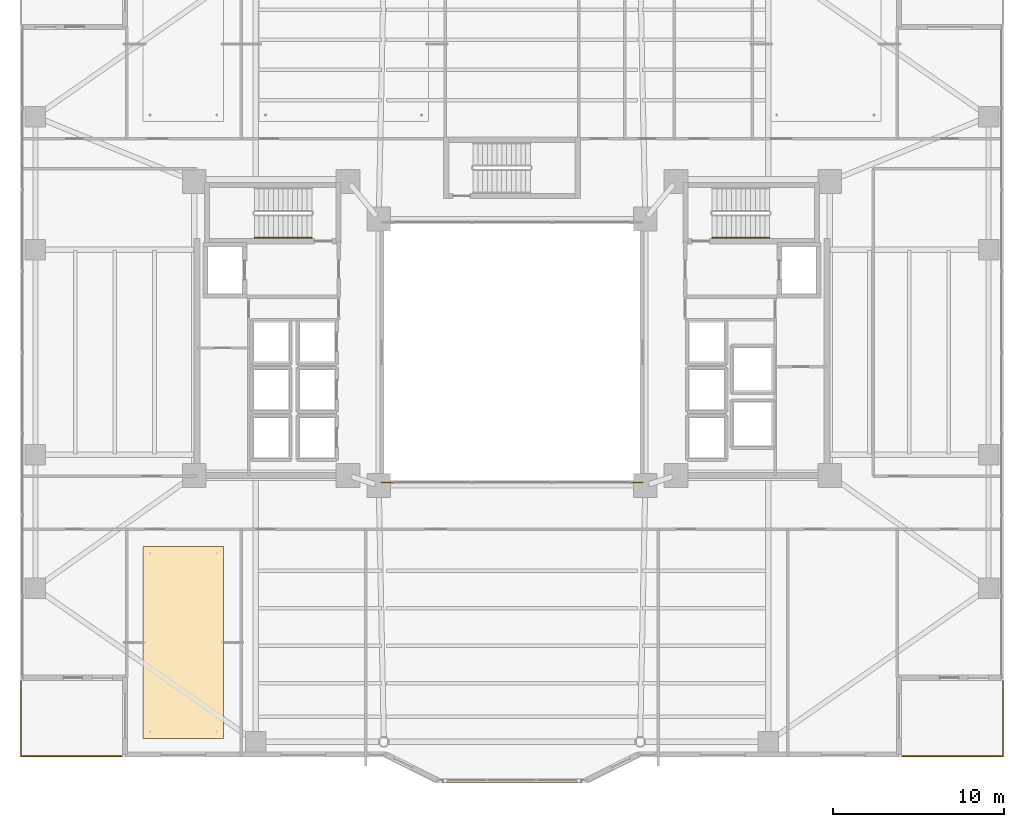
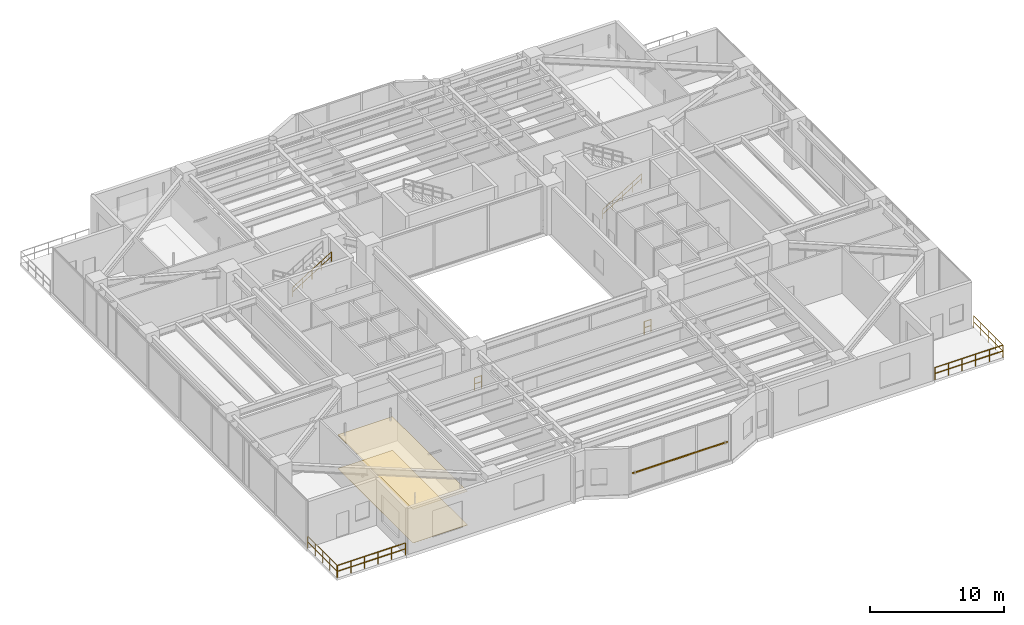
# One storey, part 38 of 40: 8 railings, 2 coverings, 1 shading device.
"""IFC4 building model written with IfcOpenShell, lengths in metres."""

from ifc_helpers import new_model, si_unit, direction, frame, origin, origin_2d, place, context, subcontext, project, spatial, polyline, rectangle, circle, outline, extrude, material, layer, layer_set, material_profile, profile_set, type_object, element, save


model = new_model("IFC4")

# Units and contexts
model_context = context("Model", 3, precision=1e-05, world=origin(), true_north=direction((0.0, 1.0)))
body_context = subcontext(model_context, "Body", "Model", "MODEL_VIEW")
ifc_project = project(units=[si_unit("LENGTHUNIT", "METRE"), si_unit("AREAUNIT", "SQUARE_METRE"), si_unit("VOLUMEUNIT", "CUBIC_METRE"), si_unit("PLANEANGLEUNIT", "RADIAN"), si_unit("MASSUNIT", "GRAM", prefix="KILO")], contexts=[model_context])

# Site, building, storey
site_placement = place(None, origin())
site = spatial("IfcSite", under=ifc_project, at=site_placement, CompositionType="ELEMENT")
building_placement = place(site_placement, origin())
building = spatial("IfcBuilding", under=site, at=building_placement, Name="Tarnavaz Court Tower", CompositionType="ELEMENT")
storey_placement = place(building_placement, frame((0.0, 0.0, 64.199951171875)))
storey = spatial("IfcBuildingStorey", under=building, at=storey_placement, Name="L17", CompositionType="ELEMENT", Elevation=64.199951171875)

# Coverings
ifc_material_1 = material(Name="Perforated Gypsum Acoustic Ceiling Tile", Category="masonry")
ifc_layer_1 = layer(ifc_material_1, 0.02490234375)
ifc_layer_set_1 = layer_set([ifc_layer_1], Name="Perforated Gypsum Acoustic Ceiling Tile")
covering_type_1 = type_object("IfcCoveringType", Name="CV-CEIL-AC", PredefinedType="CEILING", material=ifc_layer_set_1)
covering_1_placement = place(storey_placement, frame((0.0, 0.0, 3.080078125)))
element("IfcCovering", 1, at=covering_1_placement, inside=storey, type_object=covering_type_1, Name="L17 L17 Daycare Classroom Suspended Acoustic Ceiling", PredefinedType="CEILING", context=body_context, shape_type="SweptSolid", body=[
    extrude(outline(polyline([(-21.60009765625, -22.60009765625), (-16.884033203125, -22.60009765625), (-16.884033203125, -11.360107421875), (-21.60009765625, -11.360107421875), (-21.60009765625, -22.60009765625)])), origin(), (0.0, 0.0, 1.0), 0.02490234375),
])
ifc_material_2 = material(Name="Glazed Khorasan Porcelain Floor Tile", Category="masonry")
ifc_layer_2 = layer(ifc_material_2, 0.02001953125)
ifc_layer_set_2 = layer_set([ifc_layer_2], Name="Glazed Khorasan Porcelain Floor Tile")
covering_type_2 = type_object("IfcCoveringType", Name="CV-FLR-PORC", PredefinedType="FLOORING", material=ifc_layer_set_2)
covering_2_placement = place(storey_placement, origin())
element("IfcCovering", 2, at=covering_2_placement, inside=storey, type_object=covering_type_2, Name="L17 L17 Daycare Classroom Porcelain Floor Finish", PredefinedType="FLOORING", context=body_context, shape_type="SweptSolid", body=[
    extrude(outline(polyline([(-21.60009765625, -22.60009765625), (-16.884033203125, -22.60009765625), (-16.884033203125, -11.360107421875), (-21.60009765625, -11.360107421875), (-21.60009765625, -22.60009765625)])), origin(), (0.0, 0.0, 1.0), 0.02001953125),
])

# Railings
ifc_material_3 = material(Name="Anodised Aluminium 6063-T6 and Laminated Safety Glass", Category="aluminium")
railing_type_1 = type_object("IfcRailingType", Name="RL-BAL-1120", PredefinedType="BALUSTRADE", material=ifc_material_3)
for number, where, name in (
    (3, (-7.6201171875, -7.6201171875, 0.0), "L17 Courtyard Corner Balustrade S-A"),
    (4, (7.02001953125, -7.6201171875, 0.0), "L17 Courtyard Corner Balustrade S-B"),
):
    element("IfcRailing", number, at=place(storey_placement, frame(where)), inside=storey, type_object=railing_type_1, Name=name, PredefinedType="BALUSTRADE", context=body_context, shape_type="SweptSolid", body=[
        extrude(circle(Radius=0.02392578125, at=origin_2d()), frame((0.0, 0.0, 1.1259765625), z_axis=(1.0, 0.0, 0.0), x_axis=(0.0, 1.0, 0.0)), (0.0, 0.0, 1.0), 0.60009765625),
        extrude(circle(Radius=0.02392578125, at=origin_2d()), frame((0.0, 0.0, 0.574951171875), z_axis=(1.0, 0.0, 0.0), x_axis=(0.0, 1.0, 0.0)), (0.0, 0.0, 1.0), 0.60009765625),
        extrude(circle(Radius=0.02099609375, at=origin_2d()), origin(), (0.0, 0.0, 1.0), 1.101806640625),
        extrude(circle(Radius=0.02099609375, at=origin_2d()), frame((0.60009765625, 0.0, 0.0)), (0.0, 0.0, 1.0), 1.101806640625),
    ])
railing_1_placement = place(storey_placement, frame((22.860107421875, -23.639892578125, 0.0)))
element("IfcRailing", 5, at=railing_1_placement, inside=storey, type_object=railing_type_1, Name="L17 Terrace 3 S Perimeter Balustrade", PredefinedType="BALUSTRADE", context=body_context, shape_type="SweptSolid", body=[
    extrude(circle(Radius=0.02392578125, at=origin_2d()), frame((0.0, 0.0, 1.09619140625), z_axis=(1.0, 0.0, 0.0), x_axis=(0.0, 1.0, 0.0)), (0.0, 0.0, 1.0), 5.8798828125),
    extrude(circle(Radius=0.02392578125, at=origin_2d()), frame((0.0, 0.0, 0.56005859375), z_axis=(1.0, 0.0, 0.0), x_axis=(0.0, 1.0, 0.0)), (0.0, 0.0, 1.0), 5.8798828125),
    extrude(circle(Radius=0.02099609375, at=origin_2d()), origin(), (0.0, 0.0, 1.0), 1.072021484375),
    extrude(circle(Radius=0.02099609375, at=origin_2d()), frame((1.176025390625, 0.0, 0.0)), (0.0, 0.0, 1.0), 1.072021484375),
    extrude(circle(Radius=0.02099609375, at=origin_2d()), frame((2.35205078125, 0.0, 0.0)), (0.0, 0.0, 1.0), 1.072021484375),
    extrude(circle(Radius=0.02099609375, at=origin_2d()), frame((3.52783203125, 0.0, 0.0)), (0.0, 0.0, 1.0), 1.072021484375),
    extrude(circle(Radius=0.02099609375, at=origin_2d()), frame((4.703857421875, 0.0, 0.0)), (0.0, 0.0, 1.0), 1.072021484375),
    extrude(circle(Radius=0.02099609375, at=origin_2d()), frame((5.8798828125, 0.0, 0.0)), (0.0, 0.0, 1.0), 1.072021484375),
])
railing_2_placement = place(storey_placement, frame((28.739990234375, -23.639892578125, 0.0)))
element("IfcRailing", 6, at=railing_2_placement, inside=storey, type_object=railing_type_1, Name="L17 Terrace 3 E Perimeter Balustrade", PredefinedType="BALUSTRADE", context=body_context, shape_type="SweptSolid", body=[
    extrude(circle(Radius=0.02392578125, at=origin_2d()), frame((0.0, 0.0, 1.09619140625), z_axis=(0.0, 1.0, 0.0), x_axis=(-1.0, 0.0, 0.0)), (0.0, 0.0, 1.0), 4.3798828125),
    extrude(circle(Radius=0.02392578125, at=origin_2d()), frame((0.0, 0.0, 0.56005859375), z_axis=(0.0, 1.0, 0.0), x_axis=(-1.0, 0.0, 0.0)), (0.0, 0.0, 1.0), 4.3798828125),
    extrude(circle(Radius=0.02099609375, at=origin_2d()), origin(), (0.0, 0.0, 1.0), 1.072021484375),
    extrude(circle(Radius=0.02099609375, at=origin_2d()), frame((0.0, 1.094970703125, 0.0)), (0.0, 0.0, 1.0), 1.072021484375),
    extrude(circle(Radius=0.02099609375, at=origin_2d()), frame((0.0, 2.18994140625, 0.0)), (0.0, 0.0, 1.0), 1.072021484375),
    extrude(circle(Radius=0.02099609375, at=origin_2d()), frame((0.0, 3.284912109375, 0.0)), (0.0, 0.0, 1.0), 1.072021484375),
    extrude(circle(Radius=0.02099609375, at=origin_2d()), frame((0.0, 4.3798828125, 0.0)), (0.0, 0.0, 1.0), 1.072021484375),
])
railing_3_placement = place(storey_placement, frame((-28.739990234375, -23.639892578125, 0.0)))
element("IfcRailing", 7, at=railing_3_placement, inside=storey, type_object=railing_type_1, Name="L17 Terrace 4 S Perimeter Balustrade", PredefinedType="BALUSTRADE", context=body_context, shape_type="SweptSolid", body=[
    extrude(circle(Radius=0.02392578125, at=origin_2d()), frame((0.0, 0.0, 1.09619140625), z_axis=(1.0, 0.0, 0.0), x_axis=(0.0, 1.0, 0.0)), (0.0, 0.0, 1.0), 5.8798828125),
    extrude(circle(Radius=0.02392578125, at=origin_2d()), frame((0.0, 0.0, 0.56005859375), z_axis=(1.0, 0.0, 0.0), x_axis=(0.0, 1.0, 0.0)), (0.0, 0.0, 1.0), 5.8798828125),
    extrude(circle(Radius=0.02099609375, at=origin_2d()), origin(), (0.0, 0.0, 1.0), 1.072021484375),
    extrude(circle(Radius=0.02099609375, at=origin_2d()), frame((1.176025390625, 0.0, 0.0)), (0.0, 0.0, 1.0), 1.072021484375),
    extrude(circle(Radius=0.02099609375, at=origin_2d()), frame((2.35205078125, 0.0, 0.0)), (0.0, 0.0, 1.0), 1.072021484375),
    extrude(circle(Radius=0.02099609375, at=origin_2d()), frame((3.52783203125, 0.0, 0.0)), (0.0, 0.0, 1.0), 1.072021484375),
    extrude(circle(Radius=0.02099609375, at=origin_2d()), frame((4.703857421875, 0.0, 0.0)), (0.0, 0.0, 1.0), 1.072021484375),
    extrude(circle(Radius=0.02099609375, at=origin_2d()), frame((5.8798828125, 0.0, 0.0)), (0.0, 0.0, 1.0), 1.072021484375),
])
railing_4_placement = place(storey_placement, frame((-28.739990234375, -19.260009765625, 0.0)))
element("IfcRailing", 8, at=railing_4_placement, inside=storey, type_object=railing_type_1, Name="L17 Terrace 4 W Perimeter Balustrade", PredefinedType="BALUSTRADE", context=body_context, shape_type="SweptSolid", body=[
    extrude(circle(Radius=0.02392578125, at=origin_2d()), frame((0.0, 0.0, 1.09619140625), z_axis=(0.0, -1.0, 0.0), x_axis=(1.0, 0.0, 0.0)), (0.0, 0.0, 1.0), 4.3798828125),
    extrude(circle(Radius=0.02392578125, at=origin_2d()), frame((0.0, 0.0, 0.56005859375), z_axis=(0.0, -1.0, 0.0), x_axis=(1.0, 0.0, 0.0)), (0.0, 0.0, 1.0), 4.3798828125),
    extrude(circle(Radius=0.02099609375, at=origin_2d()), origin(), (0.0, 0.0, 1.0), 1.072021484375),
    extrude(circle(Radius=0.02099609375, at=origin_2d()), frame((0.0, -1.094970703125, 0.0)), (0.0, 0.0, 1.0), 1.072021484375),
    extrude(circle(Radius=0.02099609375, at=origin_2d()), frame((0.0, -2.18994140625, 0.0)), (0.0, 0.0, 1.0), 1.072021484375),
    extrude(circle(Radius=0.02099609375, at=origin_2d()), frame((0.0, -3.284912109375, 0.0)), (0.0, 0.0, 1.0), 1.072021484375),
    extrude(circle(Radius=0.02099609375, at=origin_2d()), frame((0.0, -4.3798828125, 0.0)), (0.0, 0.0, 1.0), 1.072021484375),
])
ifc_material_4 = material(Name="Brushed Stainless Steel", Category="steel")
railing_type_2 = type_object("IfcRailingType", Name="RL-HANDRAIL-900", PredefinedType="HANDRAIL", material=ifc_material_4)
for number, where, name in (
    (9, (-15.080078125, 6.699951171875, 2.423095703125), "L17 ST-W1 stair handrail 2"),
    (10, (11.719970703125, 6.699951171875, 0.173095703125), "L17 ST-E1 stair handrail 1"),
):
    element("IfcRailing", number, at=place(storey_placement, frame(where)), inside=storey, type_object=railing_type_2, Name=name, PredefinedType="HANDRAIL", context=body_context, shape_type="SweptSolid", body=[
        extrude(circle(Radius=0.02392578125, at=origin_2d()), frame((0.0, 0.0, 0.8759765625), z_axis=(0.850623216509, 0.0, 0.525775754039), x_axis=(0.0, 1.0, 0.0)), (0.0, 0.0, 1.0), 3.9501953125),
        extrude(circle(Radius=0.02392578125, at=origin_2d()), frame((0.0, 0.0, 0.449951171875), z_axis=(0.850623216509, 0.0, 0.525775754039), x_axis=(0.0, 1.0, 0.0)), (0.0, 0.0, 1.0), 3.9501953125),
        extrude(circle(Radius=0.02099609375, at=origin_2d()), origin(), (0.0, 0.0, 1.0), 0.851806640625),
        extrude(circle(Radius=0.02099609375, at=origin_2d()), frame((0.840087890625, 0.0, 0.519287109375)), (0.0, 0.0, 1.0), 0.851806640625),
        extrude(circle(Radius=0.02099609375, at=origin_2d()), frame((1.68017578125, 0.0, 1.03857421875)), (0.0, 0.0, 1.0), 0.851806640625),
        extrude(circle(Radius=0.02099609375, at=origin_2d()), frame((2.52001953125, 0.0, 1.5576171875)), (0.0, 0.0, 1.0), 0.851806640625),
        extrude(circle(Radius=0.02099609375, at=origin_2d()), frame((3.360107421875, 0.0, 2.076904296875)), (0.0, 0.0, 1.0), 0.851806640625),
    ])

# Shading device
ifc_material_5 = material(Name="Kiln-Fired Khorasan Terracotta Ceramic", Category="masonry")
ifc_material_profile = material_profile(ifc_material_5, rectangle(XDim=0.1201171875, YDim=0.06005859375, at=origin_2d()), Name="TC BAGUETTE 120X60")
ifc_profile_set = profile_set([ifc_material_profile], Name="Kiln-Fired Khorasan Terracotta Ceramic")
shading_device_type = type_object("IfcShadingDeviceType", Name="SD-BAG-120", PredefinedType="USERDEFINED", material=ifc_profile_set)
shading_device_placement = place(storey_placement, frame((4.10009765625, -25.110107421875, 1.800048828125), z_axis=(-1.0, 0.0, 0.0), x_axis=(0.0, -1.0, 0.0)))
element("IfcShadingDevice", 11, at=shading_device_placement, inside=storey, type_object=shading_device_type, Name="L17 Terracotta Baguette Screen PBG17", ObjectType="BAGUETTE", PredefinedType="USERDEFINED", context=body_context, shape_type="SweptSolid", body=[
    extrude(rectangle(XDim=0.1201171875, YDim=0.06005859375, at=origin_2d()), origin(), (0.0, 0.0, 1.0), 8.2001953125),
])

save(model, "model.ifc")
